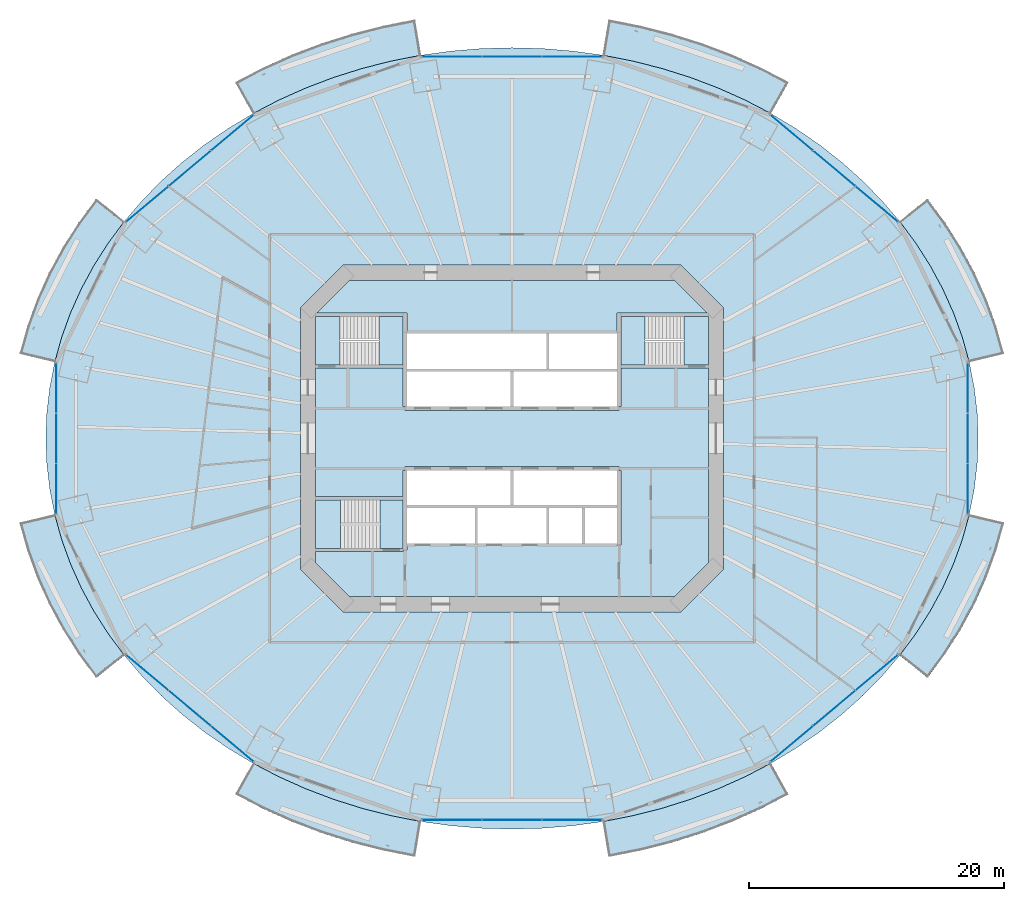
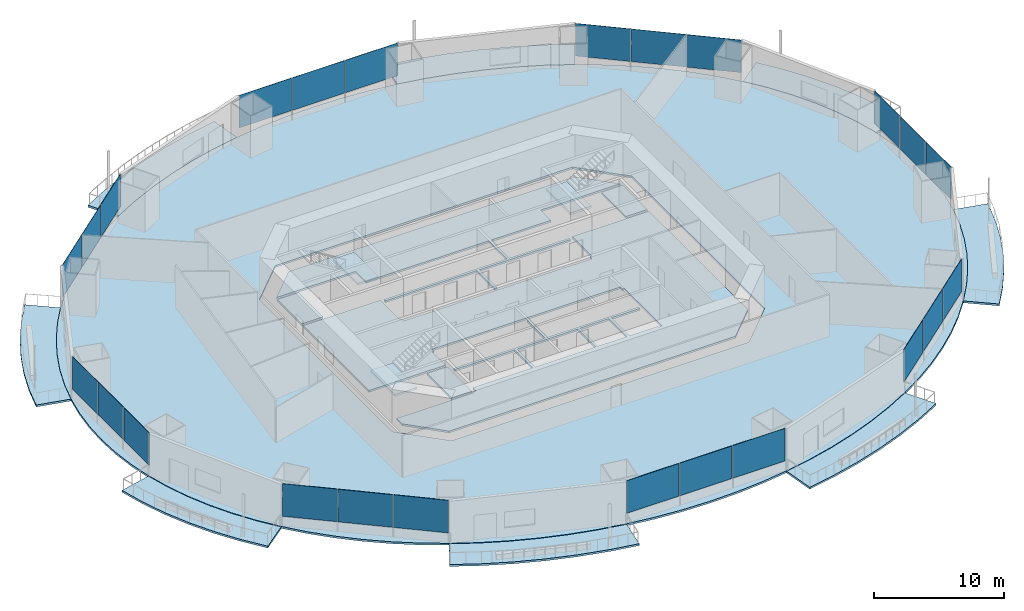
# One storey, part 13 of 23: 24 plates, 17 slabs, 11 elements without a shape of their own.
"""IFC4 building model written with IfcOpenShell, lengths in metres."""

from ifc_helpers import new_model, si_unit, direction, frame, origin, origin_2d, place, context, subcontext, project, spatial, polyline, rectangle, outline, extrude, material, layer, layer_set, type_object, element, aggregate, save


model = new_model("IFC4")

# Units and contexts
model_context = context("Model", 3, precision=1e-05, world=origin(), true_north=direction((0.0, 1.0)))
body_context = subcontext(model_context, "Body", "Model", "MODEL_VIEW")
ifc_project = project(units=[si_unit("LENGTHUNIT", "METRE"), si_unit("AREAUNIT", "SQUARE_METRE"), si_unit("VOLUMEUNIT", "CUBIC_METRE"), si_unit("PLANEANGLEUNIT", "RADIAN"), si_unit("MASSUNIT", "GRAM", prefix="KILO")], contexts=[model_context])

# Site, building, storey
site_placement = place(None, origin())
site = spatial("IfcSite", under=ifc_project, at=site_placement, CompositionType="ELEMENT")
building_placement = place(site_placement, origin())
building = spatial("IfcBuilding", under=site, at=building_placement, Name="Marenthal Gate Tower", CompositionType="ELEMENT")
storey_placement = place(building_placement, frame((0.0, 0.0, 53.75)))
storey = spatial("IfcBuildingStorey", under=building, at=storey_placement, Name="L09", CompositionType="ELEMENT", Elevation=53.75)

# Slabs
ifc_material_1 = material(Name="Concrete 40 MPa", Category="concrete")
ifc_layer_1 = layer(ifc_material_1, 0.179931640625)
ifc_layer_set_1 = layer_set([ifc_layer_1], Name="Balcony deck 180")
slab_type_1 = type_object("IfcSlabType", Name="Balcony deck 180", PredefinedType="USERDEFINED", material=ifc_layer_set_1)
slab_1_placement = place(storey_placement, frame((0.0, 0.0, -0.219970703125)))
element("IfcSlab", 1, at=slab_1_placement, inside=storey, type_object=slab_type_1, Name="Balcony deck L09 bay 1", ObjectType="BALCONY", PredefinedType="USERDEFINED", context=body_context, shape_type="SweptSolid", body=[
    extrude(outline(polyline([(35.85546875, 5.9765625), (35.312255859375, 7.928955078125), (34.617919921875, 9.847412109375), (33.775146484375, 11.723388671875), (32.787841796875, 13.549560546875), (31.66015625, 15.3173828125), (30.39697265625, 17.02001953125), (32.586181640625, 18.765625), (33.9658203125, 16.906005859375), (35.200927734375, 14.9697265625), (36.285400390625, 12.96435546875), (37.213134765625, 10.8984375), (37.979248046875, 8.78173828125), (38.579833984375, 6.623291015625), (35.85546875, 5.9765625)])), origin(), (0.0, 0.0, 1.0), 0.179931640625),
])
slab_2_placement = place(storey_placement, frame((0.0, 0.0, -0.219970703125)))
element("IfcSlab", 2, at=slab_2_placement, inside=storey, type_object=slab_type_1, Name="Balcony deck L09 bay 3", ObjectType="BALCONY", PredefinedType="USERDEFINED", context=body_context, shape_type="SweptSolid", body=[
    extrude(outline(polyline([(20.310546875, 25.47216796875), (18.279052734375, 26.53076171875), (16.169189453125, 27.4755859375), (13.989990234375, 28.302978515625), (11.751220703125, 29.00927734375), (9.4619140625, 29.591064453125), (7.132080078125, 30.04638671875), (7.592529296875, 32.808349609375), (10.075439453125, 32.322998046875), (12.517333984375, 31.702392578125), (14.908203125, 30.9482421875), (17.238525390625, 30.0634765625), (19.49853515625, 29.05126953125), (21.678466796875, 27.915283203125), (20.310546875, 25.47216796875)])), origin(), (0.0, 0.0, 1.0), 0.179931640625),
])
slab_3_placement = place(storey_placement, frame((0.0, 0.0, -0.219970703125)))
element("IfcSlab", 3, at=slab_3_placement, inside=storey, type_object=slab_type_1, Name="Balcony deck L09 bay 5", ObjectType="BALCONY", PredefinedType="USERDEFINED", context=body_context, shape_type="SweptSolid", body=[
    extrude(outline(polyline([(-7.132080078125, 30.04638671875), (-9.4619140625, 29.591064453125), (-11.751220703125, 29.00927734375), (-13.989990234375, 28.302978515625), (-16.169189453125, 27.4755859375), (-18.279052734375, 26.53076171875), (-20.310546875, 25.47216796875), (-21.678466796875, 27.915283203125), (-19.49853515625, 29.05126953125), (-17.238525390625, 30.0634765625), (-14.908203125, 30.9482421875), (-12.517333984375, 31.702392578125), (-10.075439453125, 32.322998046875), (-7.592529296875, 32.808349609375), (-7.132080078125, 30.04638671875)])), origin(), (0.0, 0.0, 1.0), 0.179931640625),
])
slab_4_placement = place(storey_placement, frame((0.0, 0.0, -0.219970703125)))
element("IfcSlab", 4, at=slab_4_placement, inside=storey, type_object=slab_type_1, Name="Balcony deck L09 bay 7", ObjectType="BALCONY", PredefinedType="USERDEFINED", context=body_context, shape_type="SweptSolid", body=[
    extrude(outline(polyline([(-30.39697265625, 17.02001953125), (-31.66015625, 15.3173828125), (-32.787841796875, 13.549560546875), (-33.775146484375, 11.723388671875), (-34.617919921875, 9.847412109375), (-35.312255859375, 7.928955078125), (-35.85546875, 5.9765625), (-38.579833984375, 6.623291015625), (-37.979248046875, 8.78173828125), (-37.213134765625, 10.8984375), (-36.285400390625, 12.96435546875), (-35.200927734375, 14.9697265625), (-33.9658203125, 16.906005859375), (-32.586181640625, 18.765625), (-30.39697265625, 17.02001953125)])), origin(), (0.0, 0.0, 1.0), 0.179931640625),
])
slab_5_placement = place(storey_placement, frame((0.0, 0.0, -0.219970703125)))
element("IfcSlab", 5, at=slab_5_placement, inside=storey, type_object=slab_type_1, Name="Balcony deck L09 bay 9", ObjectType="BALCONY", PredefinedType="USERDEFINED", context=body_context, shape_type="SweptSolid", body=[
    extrude(outline(polyline([(-35.85546875, -5.9765625), (-35.312255859375, -7.928955078125), (-34.617919921875, -9.847412109375), (-33.775146484375, -11.723388671875), (-32.787841796875, -13.549560546875), (-31.66015625, -15.3173828125), (-30.39697265625, -17.02001953125), (-32.586181640625, -18.765625), (-33.9658203125, -16.906005859375), (-35.200927734375, -14.9697265625), (-36.285400390625, -12.96435546875), (-37.213134765625, -10.8984375), (-37.979248046875, -8.78173828125), (-38.579833984375, -6.623291015625), (-35.85546875, -5.9765625)])), origin(), (0.0, 0.0, 1.0), 0.179931640625),
])
slab_6_placement = place(storey_placement, frame((0.0, 0.0, -0.219970703125)))
element("IfcSlab", 6, at=slab_6_placement, inside=storey, type_object=slab_type_1, Name="Balcony deck L09 bay 11", ObjectType="BALCONY", PredefinedType="USERDEFINED", context=body_context, shape_type="SweptSolid", body=[
    extrude(outline(polyline([(-20.310546875, -25.47216796875), (-18.279052734375, -26.53076171875), (-16.169189453125, -27.4755859375), (-13.989990234375, -28.302978515625), (-11.751220703125, -29.00927734375), (-9.4619140625, -29.591064453125), (-7.132080078125, -30.04638671875), (-7.592529296875, -32.808349609375), (-10.075439453125, -32.322998046875), (-12.517333984375, -31.702392578125), (-14.908203125, -30.9482421875), (-17.238525390625, -30.0634765625), (-19.49853515625, -29.05126953125), (-21.678466796875, -27.915283203125), (-20.310546875, -25.47216796875)])), origin(), (0.0, 0.0, 1.0), 0.179931640625),
])
slab_7_placement = place(storey_placement, frame((0.0, 0.0, -0.219970703125)))
element("IfcSlab", 7, at=slab_7_placement, inside=storey, type_object=slab_type_1, Name="Balcony deck L09 bay 13", ObjectType="BALCONY", PredefinedType="USERDEFINED", context=body_context, shape_type="SweptSolid", body=[
    extrude(outline(polyline([(7.132080078125, -30.04638671875), (9.4619140625, -29.591064453125), (11.751220703125, -29.00927734375), (13.989990234375, -28.302978515625), (16.169189453125, -27.4755859375), (18.279052734375, -26.53076171875), (20.310546875, -25.47216796875), (21.678466796875, -27.915283203125), (19.49853515625, -29.05126953125), (17.238525390625, -30.0634765625), (14.908203125, -30.9482421875), (12.517333984375, -31.702392578125), (10.075439453125, -32.322998046875), (7.592529296875, -32.808349609375), (7.132080078125, -30.04638671875)])), origin(), (0.0, 0.0, 1.0), 0.179931640625),
])
slab_8_placement = place(storey_placement, frame((0.0, 0.0, -0.219970703125)))
element("IfcSlab", 8, at=slab_8_placement, inside=storey, type_object=slab_type_1, Name="Balcony deck L09 bay 15", ObjectType="BALCONY", PredefinedType="USERDEFINED", context=body_context, shape_type="SweptSolid", body=[
    extrude(outline(polyline([(30.39697265625, -17.02001953125), (31.66015625, -15.3173828125), (32.787841796875, -13.549560546875), (33.775146484375, -11.723388671875), (34.617919921875, -9.847412109375), (35.312255859375, -7.928955078125), (35.85546875, -5.9765625), (38.579833984375, -6.623291015625), (37.979248046875, -8.78173828125), (37.213134765625, -10.8984375), (36.285400390625, -12.96435546875), (35.200927734375, -14.9697265625), (33.9658203125, -16.906005859375), (32.586181640625, -18.765625), (30.39697265625, -17.02001953125)])), origin(), (0.0, 0.0, 1.0), 0.179931640625),
])
ifc_material_2 = material(Name="Concrete 50 MPa", Category="concrete")
ifc_layer_2 = layer(ifc_material_2, 0.179931640625)
ifc_layer_set_2 = layer_set([ifc_layer_2], Name="Core floor slab 180")
slab_type_2 = type_object("IfcSlabType", Name="Core floor slab 180", PredefinedType="FLOOR", material=ifc_layer_set_2)
slab_9_placement = place(storey_placement, frame((0.0, 0.0, -0.179931640625)))
element("IfcSlab", 9, at=slab_9_placement, inside=storey, type_object=slab_type_2, Name="Core floor L09", PredefinedType="FLOOR", context=body_context, shape_type="SweptSolid", body=[
    extrude(outline(polyline([(15.39990234375, -9.75146484375), (12.75146484375, -12.39990234375), (-12.75146484375, -12.39990234375), (-15.39990234375, -9.75146484375), (-15.39990234375, -8.875), (-8.550048828125, -8.875), (-8.550048828125, -8.75), (-8.25, -8.75), (-8.25, -8.239990234375), (-5.60009765625, -8.239990234375), (-2.909912109375, -8.239990234375), (-2.909912109375, -5.4599609375), (-5.60009765625, -5.4599609375), (-8.25, -5.4599609375), (-8.25, -5.239990234375), (-5.60009765625, -5.239990234375), (-2.800048828125, -5.239990234375), (-0.110107421875, -5.239990234375), (-0.110107421875, -2.5), (0.110107421875, -2.5), (0.110107421875, -5.239990234375), (2.800048828125, -5.239990234375), (5.60009765625, -5.239990234375), (8.25, -5.239990234375), (8.25, -5.4599609375), (5.7099609375, -5.4599609375), (5.7099609375, -8.239990234375), (8.25, -8.239990234375), (8.25, -8.35009765625), (8.550048828125, -8.35009765625), (8.550048828125, -2.5), (8.39990234375, -2.5), (8.39990234375, -2.199951171875), (-8.39990234375, -2.199951171875), (-8.39990234375, -2.5), (-8.550048828125, -2.5), (-8.550048828125, -4.574951171875), (-15.39990234375, -4.574951171875), (-15.39990234375, 5.52490234375), (-8.550048828125, 5.52490234375), (-8.550048828125, 2.5), (-8.39990234375, 2.5), (-8.39990234375, 2.199951171875), (8.39990234375, 2.199951171875), (8.39990234375, 2.5), (8.550048828125, 2.5), (8.550048828125, 5.52490234375), (15.39990234375, 5.52490234375), (15.39990234375, -9.75146484375)]), holes=[polyline([(2.68994140625, -5.4599609375), (0.0, -5.4599609375), (-2.68994140625, -5.4599609375), (-2.68994140625, -8.239990234375), (0.0, -8.239990234375), (2.68994140625, -8.239990234375), (2.68994140625, -5.4599609375)]), polyline([(5.489990234375, -5.4599609375), (2.909912109375, -5.4599609375), (2.909912109375, -8.239990234375), (5.489990234375, -8.239990234375), (5.489990234375, -5.4599609375)])]), origin(), (0.0, 0.0, 1.0), 0.179931640625),
])
slab_10_placement = place(storey_placement, frame((0.0, 0.0, -0.179931640625)))
element("IfcSlab", 10, at=slab_10_placement, inside=storey, type_object=slab_type_2, Name="Core floor L09", PredefinedType="FLOOR", context=body_context, shape_type="SweptSolid", body=[
    extrude(outline(polyline([(15.39990234375, 5.77490234375), (13.5, 5.77490234375), (13.5, 9.574951171875), (15.39990234375, 9.574951171875), (15.39990234375, 5.77490234375)])), origin(), (0.0, 0.0, 1.0), 0.179931640625),
])
slab_11_placement = place(storey_placement, frame((0.0, 0.0, -0.179931640625)))
element("IfcSlab", 11, at=slab_11_placement, inside=storey, type_object=slab_type_2, Name="Core floor L09", PredefinedType="FLOOR", context=body_context, shape_type="SweptSolid", body=[
    extrude(outline(polyline([(12.75146484375, 12.39990234375), (15.326416015625, 9.824951171875), (8.550048828125, 9.824951171875), (8.25, 9.824951171875), (8.25, 8.35009765625), (8.25, 8.239990234375), (5.60009765625, 8.239990234375), (2.909912109375, 8.239990234375), (2.909912109375, 5.4599609375), (5.60009765625, 5.4599609375), (8.25, 5.4599609375), (8.25, 5.239990234375), (5.60009765625, 5.239990234375), (2.800048828125, 5.239990234375), (0.110107421875, 5.239990234375), (0.110107421875, 2.5), (-0.110107421875, 2.5), (-0.110107421875, 5.239990234375), (-2.800048828125, 5.239990234375), (-5.60009765625, 5.239990234375), (-8.25, 5.239990234375), (-8.25, 5.4599609375), (-5.60009765625, 5.4599609375), (-2.800048828125, 5.4599609375), (0.0, 5.4599609375), (2.68994140625, 5.4599609375), (2.68994140625, 8.239990234375), (0.0, 8.239990234375), (-2.800048828125, 8.239990234375), (-5.60009765625, 8.239990234375), (-8.25, 8.239990234375), (-8.25, 8.35009765625), (-8.25, 9.824951171875), (-8.550048828125, 9.824951171875), (-15.326416015625, 9.824951171875), (-12.75146484375, 12.39990234375), (12.75146484375, 12.39990234375)])), origin(), (0.0, 0.0, 1.0), 0.179931640625),
])
slab_12_placement = place(storey_placement, frame((0.0, 0.0, -0.179931640625)))
element("IfcSlab", 12, at=slab_12_placement, inside=storey, type_object=slab_type_2, Name="Core floor L09", PredefinedType="FLOOR", context=body_context, shape_type="SweptSolid", body=[
    extrude(outline(polyline([(-15.39990234375, 9.574951171875), (-13.5, 9.574951171875), (-13.5, 5.77490234375), (-15.39990234375, 5.77490234375), (-15.39990234375, 9.574951171875)])), origin(), (0.0, 0.0, 1.0), 0.179931640625),
])
slab_13_placement = place(storey_placement, frame((0.0, 0.0, -0.179931640625)))
element("IfcSlab", 13, at=slab_13_placement, inside=storey, type_object=slab_type_2, Name="Core floor L09", PredefinedType="FLOOR", context=body_context, shape_type="SweptSolid", body=[
    extrude(outline(polyline([(-8.550048828125, -8.625), (-10.35009765625, -8.625), (-10.35009765625, -4.824951171875), (-8.550048828125, -4.824951171875), (-8.550048828125, -8.625)])), origin(), (0.0, 0.0, 1.0), 0.179931640625),
])
ifc_material_3 = material(Name="Concrete 35 MPa", Category="concrete")
ifc_layer_3 = layer(ifc_material_3, 0.179931640625)
ifc_layer_set_3 = layer_set([ifc_layer_3], Name="Floor slab 180")
slab_type_3 = type_object("IfcSlabType", Name="Floor slab 180", PredefinedType="FLOOR", material=ifc_layer_set_3)
slab_14_placement = place(storey_placement, frame((0.0, 0.0, -0.179931640625)))
element("IfcSlab", 14, at=slab_14_placement, inside=storey, type_object=slab_type_3, Name="SL-L09-01", PredefinedType="FLOOR", context=body_context, shape_type="SweptSolid", body=[
    extrude(outline(polyline([(36.55810546875, 0.0), (36.479736328125, 2.003662109375), (36.2451171875, 3.998779296875), (35.85546875, 5.9765625), (35.312255859375, 7.928955078125), (34.617919921875, 9.847412109375), (33.775146484375, 11.723388671875), (32.787841796875, 13.549560546875), (31.66015625, 15.3173828125), (30.39697265625, 17.02001953125), (29.00341796875, 18.6494140625), (27.48583984375, 20.19921875), (25.850341796875, 21.662109375), (24.1044921875, 23.03271484375), (22.255126953125, 24.304443359375), (20.310546875, 25.47216796875), (18.279052734375, 26.53076171875), (16.169189453125, 27.4755859375), (13.989990234375, 28.302978515625), (11.751220703125, 29.00927734375), (9.4619140625, 29.591064453125), (7.132080078125, 30.04638671875), (4.771728515625, 30.372802734375), (2.39111328125, 30.5693359375), (0.0, 30.635009765625), (-2.39111328125, 30.5693359375), (-4.771728515625, 30.372802734375), (-7.132080078125, 30.04638671875), (-9.4619140625, 29.591064453125), (-11.751220703125, 29.00927734375), (-13.989990234375, 28.302978515625), (-16.169189453125, 27.4755859375), (-18.279052734375, 26.53076171875), (-20.310546875, 25.47216796875), (-22.255126953125, 24.304443359375), (-24.1044921875, 23.03271484375), (-25.850341796875, 21.662109375), (-27.48583984375, 20.19921875), (-29.00341796875, 18.6494140625), (-30.39697265625, 17.02001953125), (-31.66015625, 15.3173828125), (-32.787841796875, 13.549560546875), (-33.775146484375, 11.723388671875), (-34.617919921875, 9.847412109375), (-35.312255859375, 7.928955078125), (-35.85546875, 5.9765625), (-36.2451171875, 3.998779296875), (-36.479736328125, 2.003662109375), (-36.55810546875, 0.0), (-36.479736328125, -2.003662109375), (-36.2451171875, -3.998779296875), (-35.85546875, -5.9765625), (-35.312255859375, -7.928955078125), (-34.617919921875, -9.847412109375), (-33.775146484375, -11.723388671875), (-32.787841796875, -13.549560546875), (-31.66015625, -15.3173828125), (-30.39697265625, -17.02001953125), (-29.00341796875, -18.6494140625), (-27.48583984375, -20.19921875), (-25.850341796875, -21.662109375), (-24.1044921875, -23.03271484375), (-22.255126953125, -24.304443359375), (-20.310546875, -25.47216796875), (-18.279052734375, -26.53076171875), (-16.169189453125, -27.4755859375), (-13.989990234375, -28.302978515625), (-11.751220703125, -29.00927734375), (-9.4619140625, -29.591064453125), (-7.132080078125, -30.04638671875), (-4.771728515625, -30.372802734375), (-2.39111328125, -30.5693359375), (0.0, -30.635009765625), (2.39111328125, -30.5693359375), (4.771728515625, -30.372802734375), (7.132080078125, -30.04638671875), (9.4619140625, -29.591064453125), (11.751220703125, -29.00927734375), (13.989990234375, -28.302978515625), (16.169189453125, -27.4755859375), (18.279052734375, -26.53076171875), (20.310546875, -25.47216796875), (22.255126953125, -24.304443359375), (24.1044921875, -23.03271484375), (25.850341796875, -21.662109375), (27.48583984375, -20.19921875), (29.00341796875, -18.6494140625), (30.39697265625, -17.02001953125), (31.66015625, -15.3173828125), (32.787841796875, -13.549560546875), (33.775146484375, -11.723388671875), (34.617919921875, -9.847412109375), (35.312255859375, -7.928955078125), (35.85546875, -5.9765625), (36.2451171875, -3.998779296875), (36.479736328125, -2.003662109375), (36.55810546875, 0.0)]), holes=[polyline([(13.24853515625, -13.60009765625), (16.60009765625, -10.24853515625), (16.60009765625, 10.24853515625), (13.24853515625, 13.60009765625), (-13.24853515625, 13.60009765625), (-16.60009765625, 10.24853515625), (-16.60009765625, -10.24853515625), (-13.24853515625, -13.60009765625), (13.24853515625, -13.60009765625)])]), origin(), (0.0, 0.0, 1.0), 0.179931640625),
])

# Curtain wall, plates
ifc_material_4 = material(Name="Aluminium and glass", Category="aluminium")
curtain_wall_type = type_object("IfcCurtainWallType", Name="Curtain wall typical low", PredefinedType="NOTDEFINED", material=ifc_material_4)
curtain_wall_1_placement = place(storey_placement, origin())
curtain_wall_1 = element("IfcCurtainWall", 15, at=curtain_wall_1_placement, inside=storey, type_object=curtain_wall_type, Name="Curtain wall L09 bay 2", PredefinedType="NOTDEFINED")
ifc_material_5 = material(Name="Glass, laminated insulating unit", Category="glass")
ifc_layer_4 = layer(ifc_material_5, 0.030029296875)
ifc_layer_set_4 = layer_set([ifc_layer_4], Name="Glass panel 30 typical low")
plate_type = type_object("IfcPlateType", Name="Glass panel 30 typical low", PredefinedType="CURTAIN_PANEL", material=ifc_layer_set_4)
plate_1_placement = place(storey_placement, frame((28.606201171875, 18.369140625, 0.89990234375), z_axis=(0.0, 0.0, 1.0), x_axis=(-0.766665046336, 0.642047277641, 0.0)))
plate_1 = element("IfcPlate", 16, at=plate_1_placement, type_object=plate_type, Name="Glass panel L09 bay 2.1", PredefinedType="CURTAIN_PANEL", context=body_context, shape_type="SweptSolid", body=[
    extrude(rectangle(XDim=4.291015625, YDim=0.030029296875, at=origin_2d()), origin(), (0.0, 0.0, 1.0), 3.070068359375),
])
plate_2_placement = place(storey_placement, frame((25.2705078125, 21.162841796875, 0.89990234375), z_axis=(0.0, 0.0, 1.0), x_axis=(-0.766665046336, 0.642047277641, 0.0)))
plate_2 = element("IfcPlate", 17, at=plate_2_placement, type_object=plate_type, Name="Glass panel L09 bay 2.2", PredefinedType="CURTAIN_PANEL", context=body_context, shape_type="SweptSolid", body=[
    extrude(rectangle(XDim=4.291015625, YDim=0.030029296875, at=origin_2d()), origin(), (0.0, 0.0, 1.0), 3.070068359375),
])
plate_3_placement = place(storey_placement, frame((21.934814453125, 23.956298828125, 0.89990234375), z_axis=(0.0, 0.0, 1.0), x_axis=(-0.766665046336, 0.642047277641, 0.0)))
plate_3 = element("IfcPlate", 18, at=plate_3_placement, type_object=plate_type, Name="Glass panel L09 bay 2.3", PredefinedType="CURTAIN_PANEL", context=body_context, shape_type="SweptSolid", body=[
    extrude(rectangle(XDim=4.291015625, YDim=0.030029296875, at=origin_2d()), origin(), (0.0, 0.0, 1.0), 3.070068359375),
])
aggregate(curtain_wall_1, [plate_1, plate_2, plate_3])

curtain_wall_2_placement = place(storey_placement, origin())
curtain_wall_2 = element("IfcCurtainWall", 19, at=curtain_wall_2_placement, inside=storey, type_object=curtain_wall_type, Name="Curtain wall L09 bay 4", PredefinedType="NOTDEFINED")
plate_4_placement = place(storey_placement, frame((4.71923828125, 29.9287109375, 0.89990234375), z_axis=(0.0, 0.0, 1.0), x_axis=(-1.0, 0.0, 0.0)))
plate_4 = element("IfcPlate", 20, at=plate_4_placement, type_object=plate_type, Name="Glass panel L09 bay 4.1", PredefinedType="CURTAIN_PANEL", context=body_context, shape_type="SweptSolid", body=[
    extrude(rectangle(XDim=4.6591796875, YDim=0.030029296875, at=origin_2d()), origin(), (0.0, 0.0, 1.0), 3.070068359375),
])
plate_5_placement = place(storey_placement, frame((0.0, 29.9287109375, 0.89990234375), z_axis=(0.0, 0.0, 1.0), x_axis=(-1.0, 0.0, 0.0)))
plate_5 = element("IfcPlate", 21, at=plate_5_placement, type_object=plate_type, Name="Glass panel L09 bay 4.2", PredefinedType="CURTAIN_PANEL", context=body_context, shape_type="SweptSolid", body=[
    extrude(rectangle(XDim=4.6591796875, YDim=0.030029296875, at=origin_2d()), origin(), (0.0, 0.0, 1.0), 3.070068359375),
])
plate_6_placement = place(storey_placement, frame((-4.71923828125, 29.9287109375, 0.89990234375), z_axis=(0.0, 0.0, 1.0), x_axis=(-1.0, 0.0, 0.0)))
plate_6 = element("IfcPlate", 22, at=plate_6_placement, type_object=plate_type, Name="Glass panel L09 bay 4.3", PredefinedType="CURTAIN_PANEL", context=body_context, shape_type="SweptSolid", body=[
    extrude(rectangle(XDim=4.6591796875, YDim=0.030029296875, at=origin_2d()), origin(), (0.0, 0.0, 1.0), 3.070068359375),
])
aggregate(curtain_wall_2, [plate_4, plate_5, plate_6])

curtain_wall_3_placement = place(storey_placement, origin())
curtain_wall_3 = element("IfcCurtainWall", 23, at=curtain_wall_3_placement, inside=storey, type_object=curtain_wall_type, Name="Curtain wall L09 bay 6", PredefinedType="NOTDEFINED")
plate_7_placement = place(storey_placement, frame((-21.934814453125, 23.956298828125, 0.89990234375), z_axis=(0.0, 0.0, 1.0), x_axis=(-0.766665046336, -0.642047277641, 0.0)))
plate_7 = element("IfcPlate", 24, at=plate_7_placement, type_object=plate_type, Name="Glass panel L09 bay 6.1", PredefinedType="CURTAIN_PANEL", context=body_context, shape_type="SweptSolid", body=[
    extrude(rectangle(XDim=4.291015625, YDim=0.030029296875, at=origin_2d()), origin(), (0.0, 0.0, 1.0), 3.070068359375),
])
plate_8_placement = place(storey_placement, frame((-25.2705078125, 21.162841796875, 0.89990234375), z_axis=(0.0, 0.0, 1.0), x_axis=(-0.766665046336, -0.642047277641, 0.0)))
plate_8 = element("IfcPlate", 25, at=plate_8_placement, type_object=plate_type, Name="Glass panel L09 bay 6.2", PredefinedType="CURTAIN_PANEL", context=body_context, shape_type="SweptSolid", body=[
    extrude(rectangle(XDim=4.291015625, YDim=0.030029296875, at=origin_2d()), origin(), (0.0, 0.0, 1.0), 3.070068359375),
])
plate_9_placement = place(storey_placement, frame((-28.606201171875, 18.369140625, 0.89990234375), z_axis=(0.0, 0.0, 1.0), x_axis=(-0.766665046336, -0.642047277641, 0.0)))
plate_9 = element("IfcPlate", 26, at=plate_9_placement, type_object=plate_type, Name="Glass panel L09 bay 6.3", PredefinedType="CURTAIN_PANEL", context=body_context, shape_type="SweptSolid", body=[
    extrude(rectangle(XDim=4.291015625, YDim=0.030029296875, at=origin_2d()), origin(), (0.0, 0.0, 1.0), 3.070068359375),
])
aggregate(curtain_wall_3, [plate_7, plate_8, plate_9])

curtain_wall_4_placement = place(storey_placement, origin())
curtain_wall_4 = element("IfcCurtainWall", 27, at=curtain_wall_4_placement, inside=storey, type_object=curtain_wall_type, Name="Curtain wall L09 bay 8", PredefinedType="NOTDEFINED")
plate_10_placement = place(storey_placement, frame((-35.73779296875, 3.94873046875, 0.89990234375), z_axis=(0.0, 0.0, 1.0), x_axis=(0.0, -1.0, 0.0)))
plate_10 = element("IfcPlate", 28, at=plate_10_placement, type_object=plate_type, Name="Glass panel L09 bay 8.1", PredefinedType="CURTAIN_PANEL", context=body_context, shape_type="SweptSolid", body=[
    extrude(rectangle(XDim=3.888916015625, YDim=0.030029296875, at=origin_2d()), origin(), (0.0, 0.0, 1.0), 3.070068359375),
])
plate_11_placement = place(storey_placement, frame((-35.73779296875, 0.0, 0.89990234375), z_axis=(0.0, 0.0, 1.0), x_axis=(0.0, -1.0, 0.0)))
plate_11 = element("IfcPlate", 29, at=plate_11_placement, type_object=plate_type, Name="Glass panel L09 bay 8.2", PredefinedType="CURTAIN_PANEL", context=body_context, shape_type="SweptSolid", body=[
    extrude(rectangle(XDim=3.888916015625, YDim=0.030029296875, at=origin_2d()), origin(), (0.0, 0.0, 1.0), 3.070068359375),
])
plate_12_placement = place(storey_placement, frame((-35.73779296875, -3.94873046875, 0.89990234375), z_axis=(0.0, 0.0, 1.0), x_axis=(0.0, -1.0, 0.0)))
plate_12 = element("IfcPlate", 30, at=plate_12_placement, type_object=plate_type, Name="Glass panel L09 bay 8.3", PredefinedType="CURTAIN_PANEL", context=body_context, shape_type="SweptSolid", body=[
    extrude(rectangle(XDim=3.888916015625, YDim=0.030029296875, at=origin_2d()), origin(), (0.0, 0.0, 1.0), 3.070068359375),
])
aggregate(curtain_wall_4, [plate_10, plate_11, plate_12])

curtain_wall_5_placement = place(storey_placement, origin())
curtain_wall_5 = element("IfcCurtainWall", 31, at=curtain_wall_5_placement, inside=storey, type_object=curtain_wall_type, Name="Curtain wall L09 bay 10", PredefinedType="NOTDEFINED")
plate_13_placement = place(storey_placement, frame((-28.606201171875, -18.369140625, 0.89990234375), z_axis=(0.0, 0.0, 1.0), x_axis=(0.766665046336, -0.642047277641, 0.0)))
plate_13 = element("IfcPlate", 32, at=plate_13_placement, type_object=plate_type, Name="Glass panel L09 bay 10.1", PredefinedType="CURTAIN_PANEL", context=body_context, shape_type="SweptSolid", body=[
    extrude(rectangle(XDim=4.291015625, YDim=0.030029296875, at=origin_2d()), origin(), (0.0, 0.0, 1.0), 3.070068359375),
])
plate_14_placement = place(storey_placement, frame((-25.2705078125, -21.162841796875, 0.89990234375), z_axis=(0.0, 0.0, 1.0), x_axis=(0.766665046336, -0.642047277641, 0.0)))
plate_14 = element("IfcPlate", 33, at=plate_14_placement, type_object=plate_type, Name="Glass panel L09 bay 10.2", PredefinedType="CURTAIN_PANEL", context=body_context, shape_type="SweptSolid", body=[
    extrude(rectangle(XDim=4.291015625, YDim=0.030029296875, at=origin_2d()), origin(), (0.0, 0.0, 1.0), 3.070068359375),
])
plate_15_placement = place(storey_placement, frame((-21.934814453125, -23.956298828125, 0.89990234375), z_axis=(0.0, 0.0, 1.0), x_axis=(0.766665046336, -0.642047277641, 0.0)))
plate_15 = element("IfcPlate", 34, at=plate_15_placement, type_object=plate_type, Name="Glass panel L09 bay 10.3", PredefinedType="CURTAIN_PANEL", context=body_context, shape_type="SweptSolid", body=[
    extrude(rectangle(XDim=4.291015625, YDim=0.030029296875, at=origin_2d()), origin(), (0.0, 0.0, 1.0), 3.070068359375),
])
aggregate(curtain_wall_5, [plate_13, plate_14, plate_15])

curtain_wall_6_placement = place(storey_placement, origin())
curtain_wall_6 = element("IfcCurtainWall", 35, at=curtain_wall_6_placement, inside=storey, type_object=curtain_wall_type, Name="Curtain wall L09 bay 12", PredefinedType="NOTDEFINED")
plate_16_placement = place(storey_placement, frame((-4.71923828125, -29.9287109375, 0.89990234375), z_axis=(0.0, 0.0, 1.0), x_axis=(1.0, 0.0, 0.0)))
plate_16 = element("IfcPlate", 36, at=plate_16_placement, type_object=plate_type, Name="Glass panel L09 bay 12.1", PredefinedType="CURTAIN_PANEL", context=body_context, shape_type="SweptSolid", body=[
    extrude(rectangle(XDim=4.6591796875, YDim=0.030029296875, at=origin_2d()), origin(), (0.0, 0.0, 1.0), 3.070068359375),
])
plate_17_placement = place(storey_placement, frame((0.0, -29.9287109375, 0.89990234375), z_axis=(0.0, 0.0, 1.0), x_axis=(1.0, 0.0, 0.0)))
plate_17 = element("IfcPlate", 37, at=plate_17_placement, type_object=plate_type, Name="Glass panel L09 bay 12.2", PredefinedType="CURTAIN_PANEL", context=body_context, shape_type="SweptSolid", body=[
    extrude(rectangle(XDim=4.6591796875, YDim=0.030029296875, at=origin_2d()), origin(), (0.0, 0.0, 1.0), 3.070068359375),
])
plate_18_placement = place(storey_placement, frame((4.71923828125, -29.9287109375, 0.89990234375), z_axis=(0.0, 0.0, 1.0), x_axis=(1.0, 0.0, 0.0)))
plate_18 = element("IfcPlate", 38, at=plate_18_placement, type_object=plate_type, Name="Glass panel L09 bay 12.3", PredefinedType="CURTAIN_PANEL", context=body_context, shape_type="SweptSolid", body=[
    extrude(rectangle(XDim=4.6591796875, YDim=0.030029296875, at=origin_2d()), origin(), (0.0, 0.0, 1.0), 3.070068359375),
])
aggregate(curtain_wall_6, [plate_16, plate_17, plate_18])

curtain_wall_7_placement = place(storey_placement, origin())
curtain_wall_7 = element("IfcCurtainWall", 39, at=curtain_wall_7_placement, inside=storey, type_object=curtain_wall_type, Name="Curtain wall L09 bay 14", PredefinedType="NOTDEFINED")
plate_19_placement = place(storey_placement, frame((21.934814453125, -23.956298828125, 0.89990234375), z_axis=(0.0, 0.0, 1.0), x_axis=(0.766665046336, 0.642047277641, 0.0)))
plate_19 = element("IfcPlate", 40, at=plate_19_placement, type_object=plate_type, Name="Glass panel L09 bay 14.1", PredefinedType="CURTAIN_PANEL", context=body_context, shape_type="SweptSolid", body=[
    extrude(rectangle(XDim=4.291015625, YDim=0.030029296875, at=origin_2d()), origin(), (0.0, 0.0, 1.0), 3.070068359375),
])
plate_20_placement = place(storey_placement, frame((25.2705078125, -21.162841796875, 0.89990234375), z_axis=(0.0, 0.0, 1.0), x_axis=(0.766665046336, 0.642047277641, 0.0)))
plate_20 = element("IfcPlate", 41, at=plate_20_placement, type_object=plate_type, Name="Glass panel L09 bay 14.2", PredefinedType="CURTAIN_PANEL", context=body_context, shape_type="SweptSolid", body=[
    extrude(rectangle(XDim=4.291015625, YDim=0.030029296875, at=origin_2d()), origin(), (0.0, 0.0, 1.0), 3.070068359375),
])
plate_21_placement = place(storey_placement, frame((28.606201171875, -18.369140625, 0.89990234375), z_axis=(0.0, 0.0, 1.0), x_axis=(0.766665046336, 0.642047277641, 0.0)))
plate_21 = element("IfcPlate", 42, at=plate_21_placement, type_object=plate_type, Name="Glass panel L09 bay 14.3", PredefinedType="CURTAIN_PANEL", context=body_context, shape_type="SweptSolid", body=[
    extrude(rectangle(XDim=4.291015625, YDim=0.030029296875, at=origin_2d()), origin(), (0.0, 0.0, 1.0), 3.070068359375),
])
aggregate(curtain_wall_7, [plate_19, plate_20, plate_21])

curtain_wall_8_placement = place(storey_placement, origin())
curtain_wall_8 = element("IfcCurtainWall", 43, at=curtain_wall_8_placement, inside=storey, type_object=curtain_wall_type, Name="Curtain wall L09 bay 16", PredefinedType="NOTDEFINED")
plate_22_placement = place(storey_placement, frame((35.73779296875, -3.94873046875, 0.89990234375), z_axis=(0.0, 0.0, 1.0), x_axis=(0.0, 1.0, 0.0)))
plate_22 = element("IfcPlate", 44, at=plate_22_placement, type_object=plate_type, Name="Glass panel L09 bay 16.1", PredefinedType="CURTAIN_PANEL", context=body_context, shape_type="SweptSolid", body=[
    extrude(rectangle(XDim=3.888916015625, YDim=0.030029296875, at=origin_2d()), origin(), (0.0, 0.0, 1.0), 3.070068359375),
])
plate_23_placement = place(storey_placement, frame((35.73779296875, 0.0, 0.89990234375), z_axis=(0.0, 0.0, 1.0), x_axis=(0.0, 1.0, 0.0)))
plate_23 = element("IfcPlate", 45, at=plate_23_placement, type_object=plate_type, Name="Glass panel L09 bay 16.2", PredefinedType="CURTAIN_PANEL", context=body_context, shape_type="SweptSolid", body=[
    extrude(rectangle(XDim=3.888916015625, YDim=0.030029296875, at=origin_2d()), origin(), (0.0, 0.0, 1.0), 3.070068359375),
])
plate_24_placement = place(storey_placement, frame((35.73779296875, 3.94873046875, 0.89990234375), z_axis=(0.0, 0.0, 1.0), x_axis=(0.0, 1.0, 0.0)))
plate_24 = element("IfcPlate", 46, at=plate_24_placement, type_object=plate_type, Name="Glass panel L09 bay 16.3", PredefinedType="CURTAIN_PANEL", context=body_context, shape_type="SweptSolid", body=[
    extrude(rectangle(XDim=3.888916015625, YDim=0.030029296875, at=origin_2d()), origin(), (0.0, 0.0, 1.0), 3.070068359375),
])
aggregate(curtain_wall_8, [plate_22, plate_23, plate_24])

# Stair, slab
ifc_material_6 = material(Name="Concrete 40 MPa", Category="concrete")
stair_type = type_object("IfcStairType", Name="Exit stair 1800", PredefinedType="HALF_TURN_STAIR", material=ifc_material_6)
stair_1_placement = place(storey_placement, origin())
stair_1 = element("IfcStair", 47, at=stair_1_placement, inside=storey, type_object=stair_type, Name="Stair ST1", PredefinedType="HALF_TURN_STAIR")
ifc_material_7 = material(Name="Concrete 40 MPa", Category="concrete")
ifc_layer_5 = layer(ifc_material_7, 0.199951171875)
ifc_layer_set_5 = layer_set([ifc_layer_5], Name="Stair landing 200")
slab_type_4 = type_object("IfcSlabType", Name="Stair landing 200", PredefinedType="LANDING", material=ifc_layer_set_5)
slab_15_placement = place(storey_placement, frame((0.0, 0.0, 1.875)))
slab_15 = element("IfcSlab", 48, at=slab_15_placement, type_object=slab_type_4, Name="ST1 landing 1", PredefinedType="LANDING", context=body_context, shape_type="SweptSolid", body=[
    extrude(outline(polyline([(-10.419921875, 5.77490234375), (-8.550048828125, 5.77490234375), (-8.550048828125, 9.574951171875), (-10.419921875, 9.574951171875), (-10.419921875, 5.77490234375)])), origin(), (0.0, 0.0, 1.0), 0.199951171875),
])
aggregate(stair_1, [slab_15])

stair_2_placement = place(storey_placement, origin())
stair_2 = element("IfcStair", 49, at=stair_2_placement, inside=storey, type_object=stair_type, Name="Stair ST2", PredefinedType="HALF_TURN_STAIR")
slab_16_placement = place(storey_placement, frame((0.0, 0.0, 1.875)))
slab_16 = element("IfcSlab", 50, at=slab_16_placement, type_object=slab_type_4, Name="ST2 landing 1", PredefinedType="LANDING", context=body_context, shape_type="SweptSolid", body=[
    extrude(outline(polyline([(-15.39990234375, -8.625), (-13.429931640625, -8.625), (-13.429931640625, -4.824951171875), (-15.39990234375, -4.824951171875), (-15.39990234375, -8.625)])), origin(), (0.0, 0.0, 1.0), 0.199951171875),
])
aggregate(stair_2, [slab_16])

stair_3_placement = place(storey_placement, origin())
stair_3 = element("IfcStair", 51, at=stair_3_placement, inside=storey, type_object=stair_type, Name="Stair ST3", PredefinedType="HALF_TURN_STAIR")
slab_17_placement = place(storey_placement, frame((0.0, 0.0, 1.875)))
slab_17 = element("IfcSlab", 52, at=slab_17_placement, type_object=slab_type_4, Name="ST3 landing 1", PredefinedType="LANDING", context=body_context, shape_type="SweptSolid", body=[
    extrude(outline(polyline([(8.550048828125, 5.77490234375), (10.419921875, 5.77490234375), (10.419921875, 9.574951171875), (8.550048828125, 9.574951171875), (8.550048828125, 5.77490234375)])), origin(), (0.0, 0.0, 1.0), 0.199951171875),
])
aggregate(stair_3, [slab_17])

save(model, "model.ifc")
